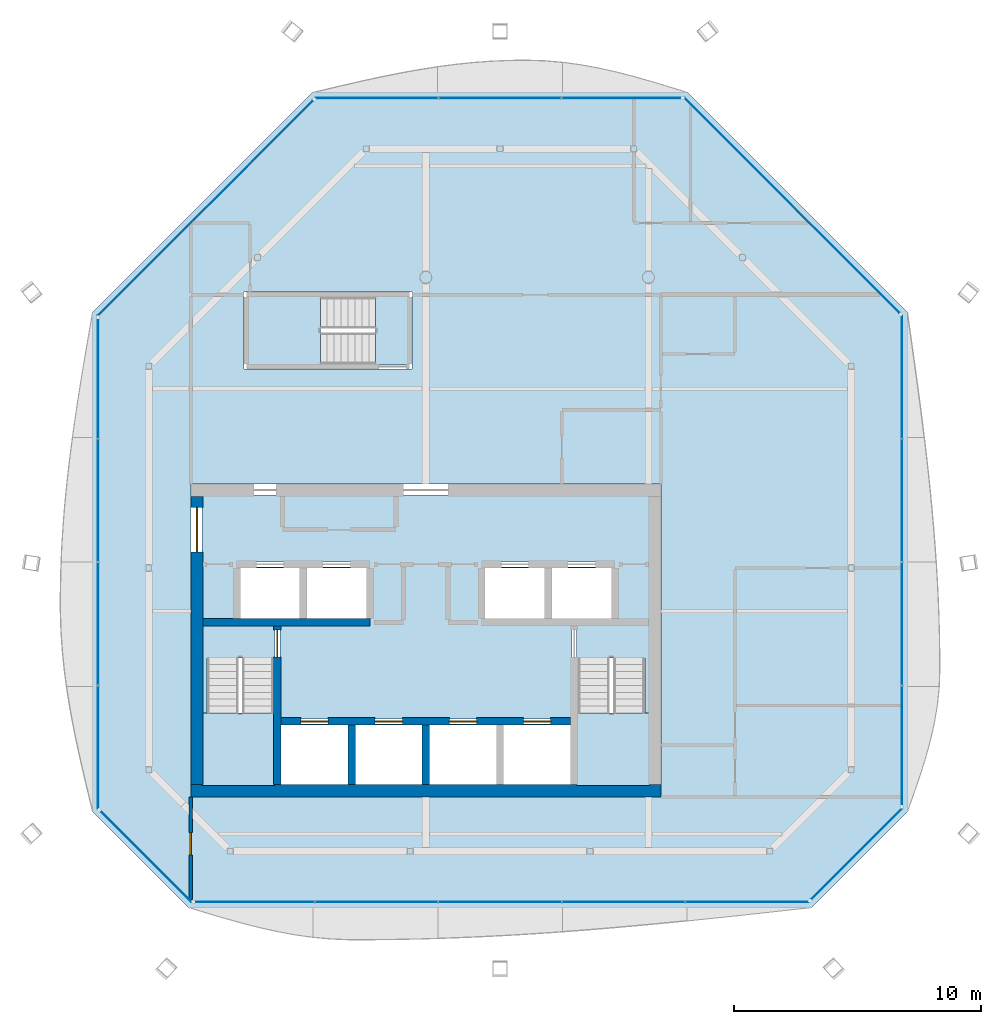
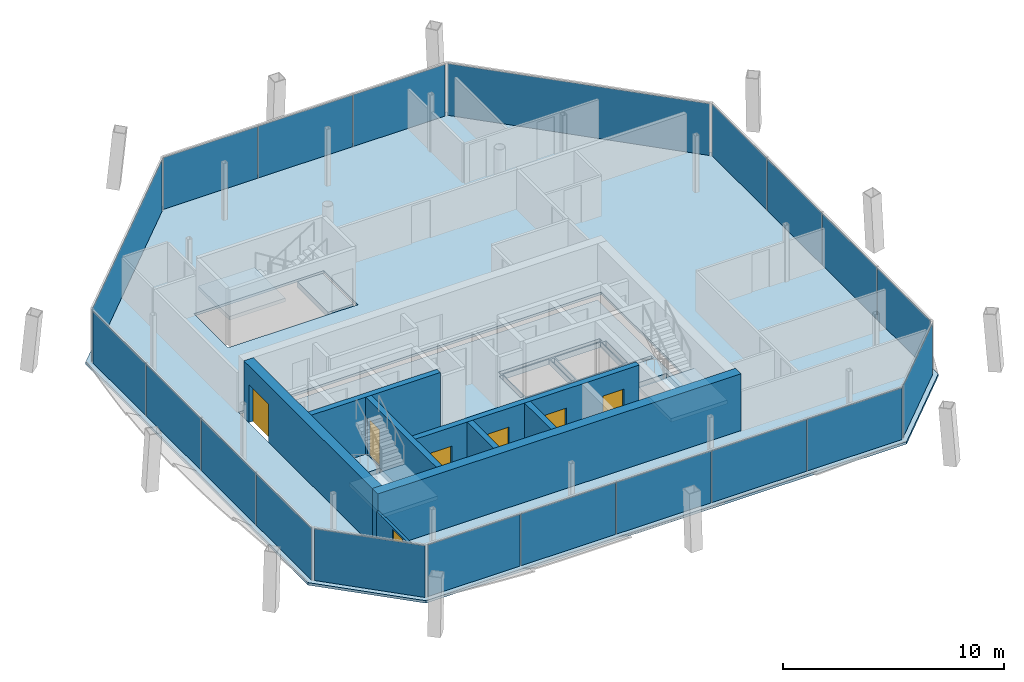
# One storey, part 9 of 14: 20 plates, 8 walls, 7 doors, 6 slabs, 7 openings, 11 elements without a shape of their own.
"""IFC4 building model written with IfcOpenShell, lengths in metres."""

from ifc_helpers import new_model, si_unit, direction, frame, frame_2d, origin, origin_2d, place, context, subcontext, project, spatial, polyline, rectangle, outline, extrude, material, layer, layer_set, type_object, element, fill, aggregate, save


model = new_model("IFC4")

# Units and contexts
model_context = context("Model", 3, precision=1e-05, world=origin(), true_north=direction((0.0, 1.0)))
body_context = subcontext(model_context, "Body", "Model", "MODEL_VIEW")
ifc_project = project(units=[si_unit("LENGTHUNIT", "METRE"), si_unit("AREAUNIT", "SQUARE_METRE"), si_unit("VOLUMEUNIT", "CUBIC_METRE"), si_unit("PLANEANGLEUNIT", "RADIAN"), si_unit("MASSUNIT", "GRAM", prefix="KILO")], contexts=[model_context])

# Site, building, storey
site_placement = place(None, origin())
site = spatial("IfcSite", under=ifc_project, at=site_placement, CompositionType="ELEMENT")
building_placement = place(site_placement, origin())
building = spatial("IfcBuilding", under=site, at=building_placement, Name="Tskaro Facet Tower", CompositionType="ELEMENT")
storey_placement = place(building_placement, frame((0.0, 0.0, 275.25)))
storey = spatial("IfcBuildingStorey", under=building, at=storey_placement, Name="L73", CompositionType="ELEMENT", Elevation=275.25)

# Slab
ifc_material_1 = material(Name="Concrete C30/37", Category="concrete")
ifc_layer_1 = layer(ifc_material_1, 0.139892578125, Name="Concrete C30/37")
ifc_layer_set_1 = layer_set([ifc_layer_1], Name="Concrete C30/37")
slab_type_1 = type_object("IfcSlabType", Name="Composite deck floor slab", PredefinedType="FLOOR", material=ifc_layer_set_1)
slab_1_placement = place(storey_placement, frame((0.0, 0.0, -0.139892578125)))
element("IfcSlab", 1, at=slab_1_placement, inside=storey, type_object=slab_type_1, Name="Floor slab FS3 L73", PredefinedType="FLOOR", context=body_context, shape_type="SweptSolid", body=[
    extrude(outline(polyline([(-9.5830078125, -16.49609375), (15.5830078125, -16.49609375), (19.49609375, -12.5830078125), (19.49609375, 7.56103515625), (10.56103515625, 16.49609375), (-4.56103515625, 16.49609375), (-13.49609375, 7.56103515625), (-13.49609375, -12.5830078125), (-9.5830078125, -16.49609375)]), holes=[polyline([(-9.5, -12.0), (9.5, -12.0), (9.5, 0.64990234375), (-9.5, 0.64990234375), (-9.5, -12.0)]), polyline([(-7.35009765625, 5.300048828125), (-0.550048828125, 5.300048828125), (-0.550048828125, 8.39990234375), (-7.35009765625, 8.39990234375), (-7.35009765625, 5.300048828125)])]), origin(), (0.0, 0.0, 1.0), 0.139892578125),
])

# Curtain wall, plates
ifc_material_2 = material(Name="Bronze anodised aluminium 6063-T6", Category="aluminium")
curtain_wall_type = type_object("IfcCurtainWallType", Name="Bronze residence curtain wall (FW3)", PredefinedType="NOTDEFINED", material=ifc_material_2)
curtain_wall_1_placement = place(storey_placement, origin())
curtain_wall_1 = element("IfcCurtainWall", 2, at=curtain_wall_1_placement, inside=storey, type_object=curtain_wall_type, Name="FW3 south facet L73", PredefinedType="NOTDEFINED")
ifc_material_3 = material(Name="Bronze low-iron glass", Category="glass")
ifc_layer_2 = layer(ifc_material_3, 0.028076171875, Name="Bronze low-iron glass")
ifc_layer_set_2 = layer_set([ifc_layer_2], Name="Bronze low-iron glass")
plate_type = type_object("IfcPlateType", Name="FW3 bronze-tinted unit glazing 28", PredefinedType="CURTAIN_PANEL", material=ifc_layer_set_2)
plate_1_placement = place(storey_placement, frame((-6.92578125, -16.24609375, 0.0), z_axis=(0.0, 0.0, 1.0), x_axis=(1.0, 0.0, 0.0)))
plate_1 = element("IfcPlate", 3, at=plate_1_placement, type_object=plate_type, Name="FW3 south glazing 1.1", PredefinedType="CURTAIN_PANEL", context=body_context, shape_type="SweptSolid", body=[
    extrude(rectangle(XDim=4.82666015625, YDim=0.028076171875, at=origin_2d()), origin(), (0.0, 0.0, 1.0), 2.860107421875),
])
plate_2_placement = place(storey_placement, frame((-1.99169921875, -16.24609375, 0.0), z_axis=(0.0, 0.0, 1.0), x_axis=(1.0, 0.0, 0.0)))
plate_2 = element("IfcPlate", 4, at=plate_2_placement, type_object=plate_type, Name="FW3 south glazing 2.1", PredefinedType="CURTAIN_PANEL", context=body_context, shape_type="SweptSolid", body=[
    extrude(rectangle(XDim=4.941650390625, YDim=0.028076171875, at=origin_2d()), origin(), (0.0, 0.0, 1.0), 2.860107421875),
])
plate_3_placement = place(storey_placement, frame((3.0, -16.24609375, 0.0), z_axis=(0.0, 0.0, 1.0), x_axis=(1.0, 0.0, 0.0)))
plate_3 = element("IfcPlate", 5, at=plate_3_placement, type_object=plate_type, Name="FW3 south glazing 3.1", PredefinedType="CURTAIN_PANEL", context=body_context, shape_type="SweptSolid", body=[
    extrude(rectangle(XDim=4.941650390625, YDim=0.028076171875, at=origin_2d()), origin(), (0.0, 0.0, 1.0), 2.860107421875),
])
plate_4_placement = place(storey_placement, frame((7.99169921875, -16.24609375, 0.0), z_axis=(0.0, 0.0, 1.0), x_axis=(1.0, 0.0, 0.0)))
plate_4 = element("IfcPlate", 6, at=plate_4_placement, type_object=plate_type, Name="FW3 south glazing 4.1", PredefinedType="CURTAIN_PANEL", context=body_context, shape_type="SweptSolid", body=[
    extrude(rectangle(XDim=4.941650390625, YDim=0.028076171875, at=origin_2d()), origin(), (0.0, 0.0, 1.0), 2.860107421875),
])
plate_5_placement = place(storey_placement, frame((12.99560546875, -16.24609375, 0.0), z_axis=(0.0, 0.0, 1.0), x_axis=(1.0, 0.0, 0.0)))
plate_5 = element("IfcPlate", 7, at=plate_5_placement, type_object=plate_type, Name="FW3 south glazing 5.1", PredefinedType="CURTAIN_PANEL", context=body_context, shape_type="SweptSolid", body=[
    extrude(rectangle(XDim=4.966552734375, YDim=0.028076171875, at=origin_2d()), origin(), (0.0, 0.0, 1.0), 2.860107421875),
])
aggregate(curtain_wall_1, [plate_1, plate_2, plate_3, plate_4, plate_5])

# Curtain wall, plate
curtain_wall_2_placement = place(storey_placement, origin())
curtain_wall_2 = element("IfcCurtainWall", 8, at=curtain_wall_2_placement, inside=storey, type_object=curtain_wall_type, Name="FW3 south-east facet L73", PredefinedType="NOTDEFINED")
plate_6_placement = place(storey_placement, frame((17.412109375, -14.31298828125, 0.0), z_axis=(0.0, 0.0, 1.0), x_axis=(0.707106781187, 0.707106781187, 0.0)))
plate_6 = element("IfcPlate", 9, at=plate_6_placement, type_object=plate_type, Name="FW3 south-east glazing 1.1", PredefinedType="CURTAIN_PANEL", context=body_context, shape_type="SweptSolid", body=[
    extrude(rectangle(XDim=5.187255859375, YDim=0.028076171875, at=origin_2d()), origin(), (0.0, 0.0, 1.0), 2.860107421875),
])
aggregate(curtain_wall_2, [plate_6])

# Curtain wall, plates
curtain_wall_3_placement = place(storey_placement, origin())
curtain_wall_3 = element("IfcCurtainWall", 10, at=curtain_wall_3_placement, inside=storey, type_object=curtain_wall_type, Name="FW3 east facet L73", PredefinedType="NOTDEFINED")
plate_7_placement = place(storey_placement, frame((19.24609375, -9.929443359375, 0.0), z_axis=(0.0, 0.0, 1.0), x_axis=(0.0, 1.0, 0.0)))
plate_7 = element("IfcPlate", 11, at=plate_7_placement, type_object=plate_type, Name="FW3 east glazing 1.1", PredefinedType="CURTAIN_PANEL", context=body_context, shape_type="SweptSolid", body=[
    extrude(rectangle(XDim=4.819091796875, YDim=0.028076171875, at=origin_2d()), origin(), (0.0, 0.0, 1.0), 2.860107421875),
])
plate_8_placement = place(storey_placement, frame((19.24609375, -5.0029296875, 0.0), z_axis=(0.0, 0.0, 1.0), x_axis=(0.0, 1.0, 0.0)))
plate_8 = element("IfcPlate", 12, at=plate_8_placement, type_object=plate_type, Name="FW3 east glazing 2.1", PredefinedType="CURTAIN_PANEL", context=body_context, shape_type="SweptSolid", body=[
    extrude(rectangle(XDim=4.93408203125, YDim=0.028076171875, at=origin_2d()), origin(), (0.0, 0.0, 1.0), 2.860107421875),
])
plate_9_placement = place(storey_placement, frame((19.24609375, -0.01904296875, 0.0), z_axis=(0.0, 0.0, 1.0), x_axis=(0.0, 1.0, 0.0)))
plate_9 = element("IfcPlate", 13, at=plate_9_placement, type_object=plate_type, Name="FW3 east glazing 3.1", PredefinedType="CURTAIN_PANEL", context=body_context, shape_type="SweptSolid", body=[
    extrude(rectangle(XDim=4.93408203125, YDim=0.028076171875, at=origin_2d()), origin(), (0.0, 0.0, 1.0), 2.860107421875),
])
plate_10_placement = place(storey_placement, frame((19.24609375, 4.9775390625, 0.0), z_axis=(0.0, 0.0, 1.0), x_axis=(0.0, 1.0, 0.0)))
plate_10 = element("IfcPlate", 14, at=plate_10_placement, type_object=plate_type, Name="FW3 east glazing 4.1", PredefinedType="CURTAIN_PANEL", context=body_context, shape_type="SweptSolid", body=[
    extrude(rectangle(XDim=4.958984375, YDim=0.028076171875, at=origin_2d()), origin(), (0.0, 0.0, 1.0), 2.860107421875),
])
aggregate(curtain_wall_3, [plate_7, plate_8, plate_9, plate_10])

# Curtain wall, plate
curtain_wall_4_placement = place(storey_placement, origin())
curtain_wall_4 = element("IfcCurtainWall", 15, at=curtain_wall_4_placement, inside=storey, type_object=curtain_wall_type, Name="FW3 north-east facet L73", PredefinedType="NOTDEFINED")
plate_11_placement = place(storey_placement, frame((14.802001953125, 11.90087890625, 0.0), z_axis=(0.0, 0.0, 1.0), x_axis=(-0.707106781187, 0.707106781187, 0.0)))
plate_11 = element("IfcPlate", 16, at=plate_11_placement, type_object=plate_type, Name="FW3 north-east glazing 1.1", PredefinedType="CURTAIN_PANEL", context=body_context, shape_type="SweptSolid", body=[
    extrude(rectangle(XDim=12.28955078125, YDim=0.028076171875, at=origin_2d()), origin(), (0.0, 0.0, 1.0), 2.860107421875),
])
aggregate(curtain_wall_4, [plate_11])

# Curtain wall, plates
curtain_wall_5_placement = place(storey_placement, origin())
curtain_wall_5 = element("IfcCurtainWall", 17, at=curtain_wall_5_placement, inside=storey, type_object=curtain_wall_type, Name="FW3 north facet L73", PredefinedType="NOTDEFINED")
plate_12_placement = place(storey_placement, frame((7.913818359375, 16.24609375, 0.0), z_axis=(0.0, 0.0, 1.0), x_axis=(-1.0, 0.0, 0.0)))
plate_12 = element("IfcPlate", 18, at=plate_12_placement, type_object=plate_type, Name="FW3 north glazing 1.1", PredefinedType="CURTAIN_PANEL", context=body_context, shape_type="SweptSolid", body=[
    extrude(rectangle(XDim=4.806396484375, YDim=0.028076171875, at=origin_2d()), origin(), (0.0, 0.0, 1.0), 2.860107421875),
])
plate_13_placement = place(storey_placement, frame((3.0, 16.24609375, 0.0), z_axis=(0.0, 0.0, 1.0), x_axis=(-1.0, 0.0, 0.0)))
plate_13 = element("IfcPlate", 19, at=plate_13_placement, type_object=plate_type, Name="FW3 north glazing 2.1", PredefinedType="CURTAIN_PANEL", context=body_context, shape_type="SweptSolid", body=[
    extrude(rectangle(XDim=4.92138671875, YDim=0.028076171875, at=origin_2d()), origin(), (0.0, 0.0, 1.0), 2.860107421875),
])
plate_14_placement = place(storey_placement, frame((-1.98388671875, 16.24609375, 0.0), z_axis=(0.0, 0.0, 1.0), x_axis=(-1.0, 0.0, 0.0)))
plate_14 = element("IfcPlate", 20, at=plate_14_placement, type_object=plate_type, Name="FW3 north glazing 3.1", PredefinedType="CURTAIN_PANEL", context=body_context, shape_type="SweptSolid", body=[
    extrude(rectangle(XDim=4.9462890625, YDim=0.028076171875, at=origin_2d()), origin(), (0.0, 0.0, 1.0), 2.860107421875),
])
aggregate(curtain_wall_5, [plate_12, plate_13, plate_14])

# Curtain wall, plate
curtain_wall_6_placement = place(storey_placement, origin())
curtain_wall_6 = element("IfcCurtainWall", 21, at=curtain_wall_6_placement, inside=storey, type_object=curtain_wall_type, Name="FW3 north-west facet L73", PredefinedType="NOTDEFINED")
plate_15_placement = place(storey_placement, frame((-8.90087890625, 11.802001953125, 0.0), z_axis=(0.0, 0.0, 1.0), x_axis=(-0.707106781187, -0.707106781187, 0.0)))
plate_15 = element("IfcPlate", 22, at=plate_15_placement, type_object=plate_type, Name="FW3 north-west glazing 1.1", PredefinedType="CURTAIN_PANEL", context=body_context, shape_type="SweptSolid", body=[
    extrude(rectangle(XDim=12.28955078125, YDim=0.028076171875, at=origin_2d()), origin(), (0.0, 0.0, 1.0), 2.860107421875),
])
aggregate(curtain_wall_6, [plate_15])

# Curtain wall, plates
curtain_wall_7_placement = place(storey_placement, origin())
curtain_wall_7 = element("IfcCurtainWall", 23, at=curtain_wall_7_placement, inside=storey, type_object=curtain_wall_type, Name="FW3 west facet L73", PredefinedType="NOTDEFINED")
plate_16_placement = place(storey_placement, frame((-13.24609375, 4.907470703125, 0.0), z_axis=(0.0, 0.0, 1.0), x_axis=(0.0, -1.0, 0.0)))
plate_16 = element("IfcPlate", 24, at=plate_16_placement, type_object=plate_type, Name="FW3 west glazing 1.1", PredefinedType="CURTAIN_PANEL", context=body_context, shape_type="SweptSolid", body=[
    extrude(rectangle(XDim=4.819091796875, YDim=0.028076171875, at=origin_2d()), origin(), (0.0, 0.0, 1.0), 2.860107421875),
])
plate_17_placement = place(storey_placement, frame((-13.24609375, -0.01904296875, 0.0), z_axis=(0.0, 0.0, 1.0), x_axis=(0.0, -1.0, 0.0)))
plate_17 = element("IfcPlate", 25, at=plate_17_placement, type_object=plate_type, Name="FW3 west glazing 2.1", PredefinedType="CURTAIN_PANEL", context=body_context, shape_type="SweptSolid", body=[
    extrude(rectangle(XDim=4.93408203125, YDim=0.028076171875, at=origin_2d()), origin(), (0.0, 0.0, 1.0), 2.860107421875),
])
plate_18_placement = place(storey_placement, frame((-13.24609375, -5.0029296875, 0.0), z_axis=(0.0, 0.0, 1.0), x_axis=(0.0, -1.0, 0.0)))
plate_18 = element("IfcPlate", 26, at=plate_18_placement, type_object=plate_type, Name="FW3 west glazing 3.1", PredefinedType="CURTAIN_PANEL", context=body_context, shape_type="SweptSolid", body=[
    extrude(rectangle(XDim=4.93408203125, YDim=0.028076171875, at=origin_2d()), origin(), (0.0, 0.0, 1.0), 2.860107421875),
])
plate_19_placement = place(storey_placement, frame((-13.24609375, -9.99951171875, 0.0), z_axis=(0.0, 0.0, 1.0), x_axis=(0.0, -1.0, 0.0)))
plate_19 = element("IfcPlate", 27, at=plate_19_placement, type_object=plate_type, Name="FW3 west glazing 4.1", PredefinedType="CURTAIN_PANEL", context=body_context, shape_type="SweptSolid", body=[
    extrude(rectangle(XDim=4.958984375, YDim=0.028076171875, at=origin_2d()), origin(), (0.0, 0.0, 1.0), 2.860107421875),
])
aggregate(curtain_wall_7, [plate_16, plate_17, plate_18, plate_19])

# Curtain wall, plate
curtain_wall_8_placement = place(storey_placement, origin())
curtain_wall_8 = element("IfcCurtainWall", 28, at=curtain_wall_8_placement, inside=storey, type_object=curtain_wall_type, Name="FW3 south-west facet L73", PredefinedType="NOTDEFINED")
plate_20_placement = place(storey_placement, frame((-11.31298828125, -14.412109375, 0.0), z_axis=(0.0, 0.0, 1.0), x_axis=(0.707106781187, -0.707106781187, 0.0)))
plate_20 = element("IfcPlate", 29, at=plate_20_placement, type_object=plate_type, Name="FW3 south-west glazing 1.1", PredefinedType="CURTAIN_PANEL", context=body_context, shape_type="SweptSolid", body=[
    extrude(rectangle(XDim=5.187255859375, YDim=0.028076171875, at=origin_2d()), origin(), (0.0, 0.0, 1.0), 2.860107421875),
])
aggregate(curtain_wall_8, [plate_20])

# Stair, slab
ifc_material_4 = material(Name="Concrete C40/50", Category="concrete")
stair_type = type_object("IfcStairType", Name="ST-TWR", PredefinedType="HALF_TURN_STAIR", material=ifc_material_4)
stair_1_placement = place(storey_placement, origin())
stair_1 = element("IfcStair", 30, at=stair_1_placement, inside=storey, type_object=stair_type, Name="L73 Exit stair 1", PredefinedType="HALF_TURN_STAIR")
ifc_layer_3 = layer(ifc_material_4, 0.199951171875, Name="Concrete C40/50")
ifc_layer_set_3 = layer_set([ifc_layer_3], Name="Concrete C40/50")
slab_type_2 = type_object("IfcSlabType", Name="SL-LANDING", PredefinedType="LANDING", material=ifc_layer_set_3)
slab_2_placement = place(storey_placement, frame((0.0, 0.0, 1.375)))
slab_2 = element("IfcSlab", 31, at=slab_2_placement, type_object=slab_type_2, Name="ST-1 landing 1", PredefinedType="LANDING", context=body_context, shape_type="SweptSolid", body=[
    extrude(outline(polyline([(-9.050048828125, -11.550048828125), (-6.10009765625, -11.550048828125), (-6.10009765625, -8.614990234375), (-9.050048828125, -8.614990234375), (-9.050048828125, -11.550048828125)])), origin(), (0.0, 0.0, 1.0), 0.199951171875),
])
aggregate(stair_1, [slab_2])

stair_2_placement = place(storey_placement, origin())
stair_2 = element("IfcStair", 32, at=stair_2_placement, inside=storey, type_object=stair_type, Name="L73 Exit stair 2", PredefinedType="HALF_TURN_STAIR")
slab_3_placement = place(storey_placement, frame((0.0, 0.0, 1.375)))
slab_3 = element("IfcSlab", 33, at=slab_3_placement, type_object=slab_type_2, Name="ST-2 landing 1", PredefinedType="LANDING", context=body_context, shape_type="SweptSolid", body=[
    extrude(outline(polyline([(6.10009765625, -11.550048828125), (9.050048828125, -11.550048828125), (9.050048828125, -8.614990234375), (6.10009765625, -8.614990234375), (6.10009765625, -11.550048828125)])), origin(), (0.0, 0.0, 1.0), 0.199951171875),
])
aggregate(stair_2, [slab_3])

stair_3_placement = place(storey_placement, origin())
stair_3 = element("IfcStair", 34, at=stair_3_placement, inside=storey, type_object=stair_type, Name="L73 Exit stair 3", PredefinedType="HALF_TURN_STAIR")
slab_4_placement = place(storey_placement, frame((0.0, 0.0, 1.375)))
slab_4 = element("IfcSlab", 35, at=slab_4_placement, type_object=slab_type_2, Name="ST-3 landing 1", PredefinedType="LANDING", context=body_context, shape_type="SweptSolid", body=[
    extrude(outline(polyline([(-7.199951171875, 5.449951171875), (-4.264892578125, 5.449951171875), (-4.264892578125, 8.25), (-7.199951171875, 8.25), (-7.199951171875, 5.449951171875)])), origin(), (0.0, 0.0, 1.0), 0.199951171875),
])
aggregate(stair_3, [slab_4])

# Slabs
ifc_material_5 = material(Name="Concrete C60/75", Category="concrete")
ifc_layer_4 = layer(ifc_material_5, 0.300048828125, Name="Concrete C60/75")
ifc_layer_set_4 = layer_set([ifc_layer_4], Name="Concrete C60/75")
slab_type_3 = type_object("IfcSlabType", Name="SLAB-CORE", PredefinedType="FLOOR", material=ifc_layer_set_4)
slab_5_placement = place(storey_placement, frame((0.0, 0.0, -0.300048828125)))
element("IfcSlab", 36, at=slab_5_placement, inside=storey, type_object=slab_type_3, Name="Core floor slab 1", PredefinedType="FLOOR", context=body_context, shape_type="SweptSolid", body=[
    extrude(outline(polyline([(-9.050048828125, 0.199951171875), (9.050048828125, 0.199951171875), (9.050048828125, 0.10009765625), (9.050048828125, -11.449951171875), (9.050048828125, -11.550048828125), (-9.050048828125, -11.550048828125), (-9.050048828125, -11.449951171875), (-9.050048828125, 0.10009765625), (-9.050048828125, 0.199951171875)]), holes=[polyline([(-5.85009765625, -9.10009765625), (-5.85009765625, -11.5), (-3.14990234375, -11.5), (-3.14990234375, -9.10009765625), (-5.85009765625, -9.10009765625)]), polyline([(-3.10009765625, -11.449951171875), (-2.89990234375, -11.449951171875), (-2.89990234375, -9.14990234375), (-3.10009765625, -9.14990234375), (-3.10009765625, -11.449951171875)]), polyline([(-2.85009765625, -9.10009765625), (-2.85009765625, -11.5), (-0.14990234375, -11.5), (-0.14990234375, -9.10009765625), (-2.85009765625, -9.10009765625)]), polyline([(-6.10009765625, -11.449951171875), (-5.89990234375, -11.449951171875), (-5.89990234375, -5.14990234375), (-6.10009765625, -5.14990234375), (-6.10009765625, -11.449951171875)]), polyline([(-8.949951171875, -5.050048828125), (-2.300048828125, -5.050048828125), (-2.300048828125, -4.85009765625), (-8.949951171875, -4.85009765625), (-8.949951171875, -5.050048828125)]), polyline([(-7.75, -4.75), (-7.550048828125, -4.75), (-7.550048828125, -2.800048828125), (-7.75, -2.800048828125), (-7.75, -4.75)]), polyline([(-5.10009765625, -4.800048828125), (-5.10009765625, -2.75), (-7.5, -2.75), (-7.5, -4.800048828125), (-5.10009765625, -4.800048828125)]), polyline([(-5.050048828125, -4.75), (-4.85009765625, -4.75), (-4.85009765625, -2.800048828125), (-5.050048828125, -2.800048828125), (-5.050048828125, -4.75)]), polyline([(-4.800048828125, -4.800048828125), (-2.39990234375, -4.800048828125), (-2.39990234375, -2.75), (-4.800048828125, -2.75), (-4.800048828125, -4.800048828125)]), polyline([(-2.35009765625, -4.75), (-2.14990234375, -4.75), (-2.14990234375, -2.800048828125), (-2.35009765625, -2.800048828125), (-2.35009765625, -4.75)]), polyline([(-7.60009765625, -2.699951171875), (-2.300048828125, -2.699951171875), (-2.300048828125, -2.5), (-7.60009765625, -2.5), (-7.60009765625, -2.699951171875)]), polyline([(-0.10009765625, -11.449951171875), (0.10009765625, -11.449951171875), (0.10009765625, -9.14990234375), (-0.10009765625, -9.14990234375), (-0.10009765625, -11.449951171875)]), polyline([(0.14990234375, -9.10009765625), (0.14990234375, -11.5), (2.85009765625, -11.5), (2.85009765625, -9.10009765625), (0.14990234375, -9.10009765625)]), polyline([(2.89990234375, -11.449951171875), (3.10009765625, -11.449951171875), (3.10009765625, -9.14990234375), (2.89990234375, -9.14990234375), (2.89990234375, -11.449951171875)]), polyline([(3.14990234375, -9.10009765625), (3.14990234375, -11.5), (5.85009765625, -11.5), (5.85009765625, -9.10009765625), (3.14990234375, -9.10009765625)]), polyline([(-5.800048828125, -9.050048828125), (5.800048828125, -9.050048828125), (5.800048828125, -8.85009765625), (-5.800048828125, -8.85009765625), (-5.800048828125, -9.050048828125)]), polyline([(5.89990234375, -11.449951171875), (6.10009765625, -11.449951171875), (6.10009765625, -5.14990234375), (5.89990234375, -5.14990234375), (5.89990234375, -11.449951171875)]), polyline([(2.300048828125, -5.050048828125), (8.949951171875, -5.050048828125), (8.949951171875, -4.85009765625), (2.300048828125, -4.85009765625), (2.300048828125, -5.050048828125)]), polyline([(2.14990234375, -4.75), (2.35009765625, -4.75), (2.35009765625, -2.800048828125), (2.14990234375, -2.800048828125), (2.14990234375, -4.75)]), polyline([(2.39990234375, -2.75), (2.39990234375, -4.800048828125), (4.800048828125, -4.800048828125), (4.800048828125, -2.75), (2.39990234375, -2.75)]), polyline([(4.85009765625, -4.75), (5.050048828125, -4.75), (5.050048828125, -2.800048828125), (4.85009765625, -2.800048828125), (4.85009765625, -4.75)]), polyline([(5.10009765625, -2.75), (5.10009765625, -4.800048828125), (7.5, -4.800048828125), (7.5, -2.75), (5.10009765625, -2.75)]), polyline([(7.550048828125, -4.75), (7.75, -4.75), (7.75, -2.800048828125), (7.550048828125, -2.800048828125), (7.550048828125, -4.75)]), polyline([(2.300048828125, -2.699951171875), (7.60009765625, -2.699951171875), (7.60009765625, -2.5), (2.300048828125, -2.5), (2.300048828125, -2.699951171875)]), polyline([(-8.85009765625, -11.5), (-6.14990234375, -11.5), (-6.14990234375, -6.39501953125), (-8.85009765625, -6.39501953125), (-8.85009765625, -11.5)]), polyline([(6.14990234375, -6.39501953125), (6.14990234375, -11.5), (8.85009765625, -11.5), (8.85009765625, -6.39501953125), (6.14990234375, -6.39501953125)])]), origin(), (0.0, 0.0, 1.0), 0.300048828125),
])
slab_6_placement = place(storey_placement, frame((0.0, 0.0, -0.300048828125)))
element("IfcSlab", 37, at=slab_6_placement, inside=storey, type_object=slab_type_3, Name="Stair 3 floor landing 1", PredefinedType="FLOOR", context=body_context, shape_type="SweptSolid", body=[
    extrude(outline(polyline([(-2.02490234375, 5.449951171875), (-0.699951171875, 5.449951171875), (-0.699951171875, 8.25), (-2.02490234375, 8.25), (-2.02490234375, 5.449951171875)])), origin(), (0.0, 0.0, 1.0), 0.300048828125),
])

# Wall, openings, doors
ifc_layer_5 = layer(ifc_material_5, 0.300048828125, Name="Concrete C60/75")
ifc_layer_set_5 = layer_set([ifc_layer_5], Name="Concrete C60/75")
wall_type_1 = type_object("IfcWallType", Name="CORE-SHAFT", PredefinedType="SHEAR", material=ifc_layer_set_5)
wall_1_placement = place(storey_placement, frame((-5.85009765625, -8.949951171875, 0.0), z_axis=(0.0, 0.0, 1.0), x_axis=(1.0, 0.0, 0.0)))
wall_1 = element("IfcWall", 38, at=wall_1_placement, inside=storey, type_object=wall_type_1, Name="Shaft wall W003", PredefinedType="SHEAR", context=body_context, shape_type="SweptSolid", body=[
    extrude(rectangle(XDim=11.7001953125, YDim=0.300048828125, at=frame_2d((5.85009765625, 0.0))), origin(), (0.0, 0.0, 1.0), 3.14990234375),
])
opening_1_placement = place(wall_1_placement, frame((0.800048828125, 0.0, 0.0)))
opening_1 = element("IfcOpeningElement", 39, at=opening_1_placement, cuts=wall_1, Name="Opening LD-FF1", PredefinedType="OPENING", context=body_context, shape_type="SweptSolid", body=[
    extrude(rectangle(XDim=1.10009765625, YDim=2.10009765625, at=frame_2d((0.550048828125, 1.050048828125))), frame((0.0, 0.159912109375, 0.0), z_axis=(0.0, -1.0, 0.0), x_axis=(1.0, 0.0, 0.0)), (0.0, 0.0, 1.0), 0.320068359375),
])
opening_2_placement = place(wall_1_placement, frame((3.800048828125, 0.0, 0.0)))
opening_2 = element("IfcOpeningElement", 40, at=opening_2_placement, cuts=wall_1, Name="Opening LD-FF2", PredefinedType="OPENING", context=body_context, shape_type="SweptSolid", body=[
    extrude(rectangle(XDim=1.10009765625, YDim=2.10009765625, at=frame_2d((0.550048828125, 1.050048828125))), frame((0.0, 0.159912109375, 0.0), z_axis=(0.0, -1.0, 0.0), x_axis=(1.0, 0.0, 0.0)), (0.0, 0.0, 1.0), 0.320068359375),
])
opening_3_placement = place(wall_1_placement, frame((6.800048828125, 0.0, 0.0)))
opening_3 = element("IfcOpeningElement", 41, at=opening_3_placement, cuts=wall_1, Name="Opening LD-SV1", PredefinedType="OPENING", context=body_context, shape_type="SweptSolid", body=[
    extrude(rectangle(XDim=1.10009765625, YDim=2.10009765625, at=frame_2d((0.550048828125, 1.050048828125))), frame((0.0, 0.159912109375, 0.0), z_axis=(0.0, -1.0, 0.0), x_axis=(1.0, 0.0, 0.0)), (0.0, 0.0, 1.0), 0.320068359375),
])
opening_4_placement = place(wall_1_placement, frame((9.800048828125, 0.0, 0.0)))
opening_4 = element("IfcOpeningElement", 42, at=opening_4_placement, cuts=wall_1, Name="Opening LD-SV2", PredefinedType="OPENING", context=body_context, shape_type="SweptSolid", body=[
    extrude(rectangle(XDim=1.10009765625, YDim=2.10009765625, at=frame_2d((0.550048828125, 1.050048828125))), frame((0.0, 0.159912109375, 0.0), z_axis=(0.0, -1.0, 0.0), x_axis=(1.0, 0.0, 0.0)), (0.0, 0.0, 1.0), 0.320068359375),
])
ifc_material_6 = material(Name="Stainless steel", Category="steel")
door_type_1 = type_object("IfcDoorType", Name="D-LANDING", OperationType="NOTDEFINED", PredefinedType="DOOR", material=ifc_material_6)
door_1_placement = place(opening_1_placement, origin())
door_1 = element("IfcDoor", 43, at=door_1_placement, inside=storey, type_object=door_type_1, Name="Landing door FF1", OperationType="DOUBLE_DOOR_SLIDING", OverallHeight=2.10009765625, OverallWidth=1.10009765625, PredefinedType="DOOR", context=body_context, shape_type="SweptSolid", body=[
    extrude(rectangle(XDim=1.10009765625, YDim=2.10009765625, at=frame_2d((0.550048828125, 1.050048828125))), frame((0.0, 0.02490234375, 0.0), z_axis=(0.0, -1.0, 0.0), x_axis=(1.0, 0.0, 0.0)), (0.0, 0.0, 1.0), 0.050048828125),
])
fill(opening_1, door_1)
door_2_placement = place(opening_2_placement, origin())
door_2 = element("IfcDoor", 44, at=door_2_placement, inside=storey, type_object=door_type_1, Name="Landing door FF2", OperationType="DOUBLE_DOOR_SLIDING", OverallHeight=2.10009765625, OverallWidth=1.10009765625, PredefinedType="DOOR", context=body_context, shape_type="SweptSolid", body=[
    extrude(rectangle(XDim=1.10009765625, YDim=2.10009765625, at=frame_2d((0.550048828125, 1.050048828125))), frame((0.0, 0.02490234375, 0.0), z_axis=(0.0, -1.0, 0.0), x_axis=(1.0, 0.0, 0.0)), (0.0, 0.0, 1.0), 0.050048828125),
])
fill(opening_2, door_2)
door_3_placement = place(opening_3_placement, origin())
door_3 = element("IfcDoor", 45, at=door_3_placement, inside=storey, type_object=door_type_1, Name="Landing door SV1", OperationType="DOUBLE_DOOR_SLIDING", OverallHeight=2.10009765625, OverallWidth=1.10009765625, PredefinedType="DOOR", context=body_context, shape_type="SweptSolid", body=[
    extrude(rectangle(XDim=1.10009765625, YDim=2.10009765625, at=frame_2d((0.550048828125, 1.050048828125))), frame((0.0, 0.02490234375, 0.0), z_axis=(0.0, -1.0, 0.0), x_axis=(1.0, 0.0, 0.0)), (0.0, 0.0, 1.0), 0.050048828125),
])
fill(opening_3, door_3)
door_4_placement = place(opening_4_placement, origin())
door_4 = element("IfcDoor", 46, at=door_4_placement, inside=storey, type_object=door_type_1, Name="Landing door SV2", OperationType="DOUBLE_DOOR_SLIDING", OverallHeight=2.10009765625, OverallWidth=1.10009765625, PredefinedType="DOOR", context=body_context, shape_type="SweptSolid", body=[
    extrude(rectangle(XDim=1.10009765625, YDim=2.10009765625, at=frame_2d((0.550048828125, 1.050048828125))), frame((0.0, 0.02490234375, 0.0), z_axis=(0.0, -1.0, 0.0), x_axis=(1.0, 0.0, 0.0)), (0.0, 0.0, 1.0), 0.050048828125),
])
fill(opening_4, door_4)

# Wall
wall_2_placement = place(storey_placement, frame((-9.0, -4.949951171875, 0.0), z_axis=(0.0, 0.0, 1.0), x_axis=(1.0, 0.0, 0.0)))
element("IfcWall", 47, at=wall_2_placement, inside=storey, type_object=wall_type_1, Name="Shaft wall W005", PredefinedType="SHEAR", context=body_context, shape_type="SweptSolid", body=[
    extrude(rectangle(XDim=6.75, YDim=0.300048828125, at=frame_2d((3.375, 0.0))), origin(), (0.0, 0.0, 1.0), 3.14990234375),
])

# Wall, opening, door
wall_3_placement = place(storey_placement, frame((-6.0, -11.5, 0.0), z_axis=(0.0, 0.0, 1.0), x_axis=(0.0, 1.0, 0.0)))
wall_3 = element("IfcWall", 48, at=wall_3_placement, inside=storey, type_object=wall_type_1, Name="Shaft wall W032", PredefinedType="SHEAR", context=body_context, shape_type="SweptSolid", body=[
    extrude(rectangle(XDim=6.39990234375, YDim=0.300048828125, at=frame_2d((3.199951171875, 0.0))), origin(), (0.0, 0.0, 1.0), 3.14990234375),
])
opening_5_placement = place(wall_3_placement, frame((5.14990234375, 0.0, 0.0)))
opening_5 = element("IfcOpeningElement", 49, at=opening_5_placement, cuts=wall_3, Name="Opening ST-1-D1", PredefinedType="OPENING", context=body_context, shape_type="SweptSolid", body=[
    extrude(rectangle(XDim=1.10009765625, YDim=2.10009765625, at=frame_2d((0.550048828125, 1.050048828125))), frame((0.0, 0.159912109375, 0.0), z_axis=(0.0, -1.0, 0.0), x_axis=(1.0, 0.0, 0.0)), (0.0, 0.0, 1.0), 0.320068359375),
])
ifc_material_7 = material(Name="Steel", Category="steel")
door_type_2 = type_object("IfcDoorType", Name="D-STAIR", OperationType="NOTDEFINED", PredefinedType="DOOR", material=ifc_material_7)
door_5_placement = place(opening_5_placement, origin())
door_5 = element("IfcDoor", 50, at=door_5_placement, inside=storey, type_object=door_type_2, Name="Stair door 1", OperationType="SINGLE_SWING_LEFT", OverallHeight=2.10009765625, OverallWidth=1.10009765625, PredefinedType="DOOR", context=body_context, shape_type="SweptSolid", body=[
    extrude(rectangle(XDim=1.10009765625, YDim=2.10009765625, at=frame_2d((0.550048828125, 1.050048828125))), frame((0.0, 0.02490234375, 0.0), z_axis=(0.0, -1.0, 0.0), x_axis=(1.0, 0.0, 0.0)), (0.0, 0.0, 1.0), 0.050048828125),
])
fill(opening_5, door_5)

# Walls
for number, where, z_axis, x_axis, name in (
    (51, (-3.0, -11.5, 0.0), (0.0, 0.0, 1.0), (0.0, 1.0, 0.0), "Shaft wall W035"),
    (52, (0.0, -11.5, 0.0), (0.0, 0.0, 1.0), (0.0, 1.0, 0.0), "Shaft wall W040"),
):
    element("IfcWall", number, at=place(storey_placement, frame(where, z_axis=z_axis, x_axis=x_axis)), inside=storey, type_object=wall_type_1, Name=name, PredefinedType="SHEAR", context=body_context, shape_type="SweptSolid", body=[
        extrude(rectangle(XDim=2.39990234375, YDim=0.300048828125, at=frame_2d((1.199951171875, 0.0))), origin(), (0.0, 0.0, 1.0), 3.14990234375),
    ])
ifc_layer_6 = layer(ifc_material_4, 0.5, Name="Concrete C40/50")
ifc_layer_set_6 = layer_set([ifc_layer_6], Name="Concrete C40/50")
wall_type_2 = type_object("IfcWallType", Name="Core wall 500", PredefinedType="SHEAR", material=ifc_layer_set_6)
wall_4_placement = place(storey_placement, frame((-9.5, -11.75, 0.0), z_axis=(0.0, 0.0, 1.0), x_axis=(1.0, 0.0, 0.0)))
element("IfcWall", 53, at=wall_4_placement, inside=storey, type_object=wall_type_2, Name="Core wall CW-Z3S", PredefinedType="SHEAR", context=body_context, shape_type="SweptSolid", body=[
    extrude(rectangle(XDim=19.0, YDim=0.5, at=frame_2d((9.5, 0.0))), origin(), (0.0, 0.0, 1.0), 3.14990234375),
])

# Wall, opening, door
wall_5_placement = place(storey_placement, frame((-9.25, -11.5, 0.0), z_axis=(0.0, 0.0, 1.0), x_axis=(0.0, 1.0, 0.0)))
wall_5 = element("IfcWall", 54, at=wall_5_placement, inside=storey, type_object=wall_type_2, Name="Core wall CW-Z3W", PredefinedType="SHEAR", context=body_context, shape_type="SweptSolid", body=[
    extrude(rectangle(XDim=11.64990234375, YDim=0.5, at=frame_2d((5.824951171875, 0.0))), origin(), (0.0, 0.0, 1.0), 3.14990234375),
])
opening_6_placement = place(wall_5_placement, frame((9.39990234375, 0.0, 0.0)))
opening_6 = element("IfcOpeningElement", 55, at=opening_6_placement, cuts=wall_5, Name="Opening T21-D09", PredefinedType="OPENING", context=body_context, shape_type="SweptSolid", body=[
    extrude(rectangle(XDim=1.800048828125, YDim=2.10009765625, at=frame_2d((0.89990234375, 1.050048828125))), frame((0.0, 0.260009765625, 0.0), z_axis=(0.0, -1.0, 0.0), x_axis=(1.0, 0.0, 0.0)), (0.0, 0.0, 1.0), 0.52001953125),
])
door_type_3 = type_object("IfcDoorType", Name="D-CORE-PAIR", OperationType="NOTDEFINED", PredefinedType="DOOR", material=ifc_material_7)
door_6_placement = place(opening_6_placement, origin())
door_6 = element("IfcDoor", 56, at=door_6_placement, inside=storey, type_object=door_type_3, Name="Door T21-D09", OperationType="DOUBLE_DOOR_SINGLE_SWING", OverallHeight=2.10009765625, OverallWidth=1.800048828125, PredefinedType="DOOR", context=body_context, shape_type="SweptSolid", body=[
    extrude(rectangle(XDim=1.800048828125, YDim=2.10009765625, at=frame_2d((0.89990234375, 1.050048828125))), frame((0.0, 0.02490234375, 0.0), z_axis=(0.0, -1.0, 0.0), x_axis=(1.0, 0.0, 0.0)), (0.0, 0.0, 1.0), 0.050048828125),
])
fill(opening_6, door_6)

ifc_material_8 = material(Name="Gypsum board on steel studs", Category="steel")
ifc_layer_7 = layer(ifc_material_8, 0.125, Name="Gypsum board on steel studs")
ifc_layer_set_7 = layer_set([ifc_layer_7], Name="Gypsum board on steel studs")
wall_type_3 = type_object("IfcWallType", Name="PART", PredefinedType="PARTITIONING", material=ifc_layer_set_7)
wall_6_placement = place(storey_placement, frame((-9.5, -12.0, 0.0), z_axis=(0.0, 0.0, 1.0), x_axis=(0.0, -1.0, 0.0)))
wall_6 = element("IfcWall", 57, at=wall_6_placement, inside=storey, type_object=wall_type_3, Name="Partition W026", PredefinedType="PARTITIONING", context=body_context, shape_type="SweptSolid", body=[
    extrude(rectangle(XDim=4.155029296875, YDim=0.125, at=frame_2d((2.07763671875, 0.0))), origin(), (0.0, 0.0, 1.0), 2.2099609375),
])
opening_7_placement = place(wall_6_placement, frame((1.446044921875, 0.0, 0.0)))
opening_7 = element("IfcOpeningElement", 58, at=opening_7_placement, cuts=wall_6, Name="Opening T21-D01", PredefinedType="OPENING", context=body_context, shape_type="SweptSolid", body=[
    extrude(rectangle(XDim=0.89990234375, YDim=2.10009765625, at=frame_2d((0.449951171875, 1.050048828125))), frame((0.0, 0.072509765625, 0.0), z_axis=(0.0, -1.0, 0.0), x_axis=(1.0, 0.0, 0.0)), (0.0, 0.0, 1.0), 0.14501953125),
])
ifc_material_9 = material(Name="Timber", Category="wood")
door_type_4 = type_object("IfcDoorType", Name="D-ROOM", OperationType="NOTDEFINED", PredefinedType="DOOR", material=ifc_material_9)
door_7_placement = place(opening_7_placement, origin())
door_7 = element("IfcDoor", 59, at=door_7_placement, inside=storey, type_object=door_type_4, Name="Door T21-D01", OperationType="SINGLE_SWING_RIGHT", OverallHeight=2.10009765625, OverallWidth=0.89990234375, PredefinedType="DOOR", context=body_context, shape_type="SweptSolid", body=[
    extrude(rectangle(XDim=0.89990234375, YDim=2.10009765625, at=frame_2d((0.449951171875, 1.050048828125))), frame((0.0, 0.02490234375, 0.0), z_axis=(0.0, -1.0, 0.0), x_axis=(1.0, 0.0, 0.0)), (0.0, 0.0, 1.0), 0.050048828125),
])
fill(opening_7, door_7)

save(model, "model.ifc")
